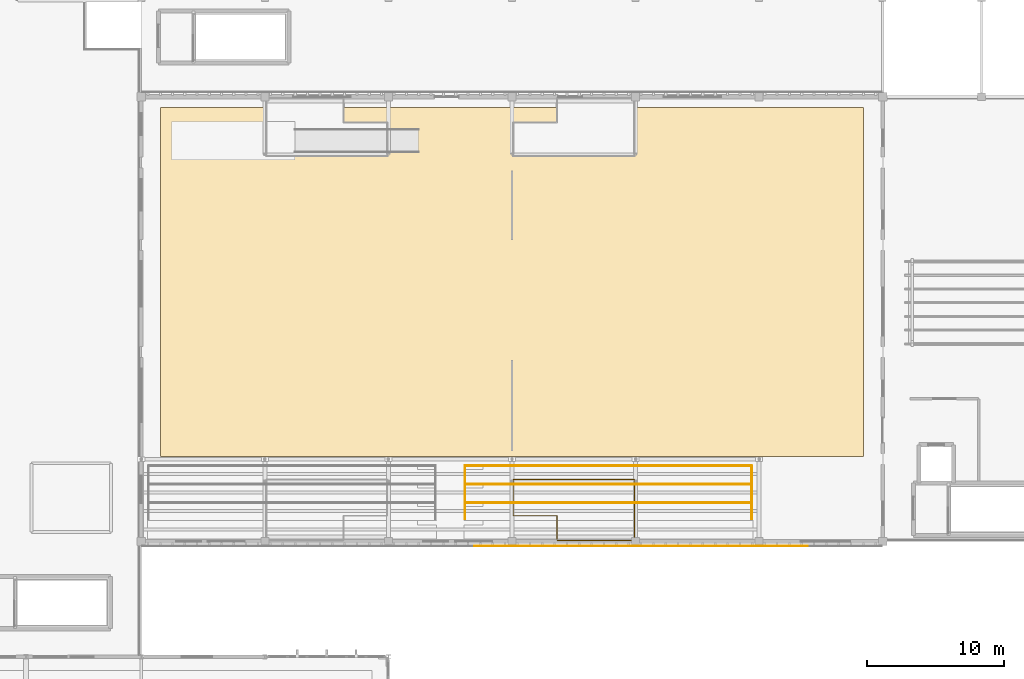
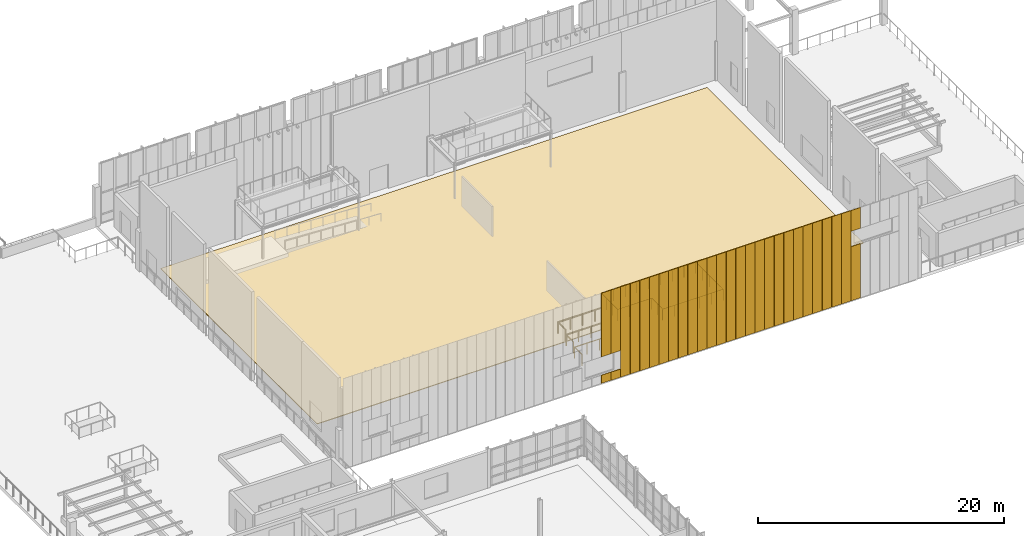
# One storey, part 63 of 67: 31 coverings, 4 railings.
"""IFC4 building model written with IfcOpenShell, lengths in metres."""

from ifc_helpers import new_model, si_unit, direction, frame, origin, origin_2d, place, context, subcontext, project, spatial, polyline, rectangle, circle, outline, extrude, material, layer, layer_set, type_object, element, save


model = new_model("IFC4")

# Units and contexts
model_context = context("Model", 3, precision=1e-05, world=origin(), true_north=direction((0.0, 1.0)))
body_context = subcontext(model_context, "Body", "Model", "MODEL_VIEW")
ifc_project = project(units=[si_unit("LENGTHUNIT", "METRE"), si_unit("AREAUNIT", "SQUARE_METRE"), si_unit("VOLUMEUNIT", "CUBIC_METRE"), si_unit("PLANEANGLEUNIT", "RADIAN"), si_unit("MASSUNIT", "GRAM", prefix="KILO")], contexts=[model_context])

# Site, building, storey
site_placement = place(None, origin())
site = spatial("IfcSite", under=ifc_project, at=site_placement, CompositionType="ELEMENT")
building_placement = place(site_placement, origin())
building = spatial("IfcBuilding", under=site, at=building_placement, Name="Tizgana Railside Sports Hall", CompositionType="ELEMENT")
storey_placement = place(building_placement, frame((0.0, 0.0, 12.0)))
storey = spatial("IfcBuildingStorey", under=building, at=storey_placement, Name="L02", CompositionType="ELEMENT", Elevation=12.0)

# Coverings
ifc_material_1 = material(Name="Anodised perforated aluminium screen", Category="aluminium")
ifc_layer_1 = layer(ifc_material_1, 0.044921875, Name="Anodised perforated aluminium screen")
ifc_layer_set_1 = layer_set([ifc_layer_1], Name="Anodised perforated aluminium screen")
covering_type_1 = type_object("IfcCoveringType", Name="Perforated Aluminium Hall Screen 900", PredefinedType="CLADDING", material=ifc_layer_set_1)
covering_1_placement = place(storey_placement, frame((106.30029296875, 40.465087890625, 0.02001953125), z_axis=(0.0, 0.0, 1.0), x_axis=(-1.0, 0.0, 0.0)))
element("IfcCovering", 1, at=covering_1_placement, inside=storey, type_object=covering_type_1, Name="L02 Perforated Screen SCR-0289", PredefinedType="CLADDING", context=body_context, shape_type="SweptSolid", body=[
    extrude(rectangle(XDim=0.881591796875, YDim=0.044921875, at=origin_2d()), origin(), (0.0, 0.0, 1.0), 8.9599609375),
])
covering_2_placement = place(storey_placement, frame((105.40087890625, 40.465087890625, 0.030029296875), z_axis=(0.0, 0.0, 1.0), x_axis=(-1.0, 0.0, 0.0)))
element("IfcCovering", 2, at=covering_2_placement, inside=storey, type_object=covering_type_1, Name="L02 Perforated Spandrel SCR-0290", PredefinedType="CLADDING", context=body_context, shape_type="SweptSolid", body=[
    extrude(rectangle(XDim=0.881591796875, YDim=0.044921875, at=origin_2d()), origin(), (0.0, 0.0, 1.0), 0.81005859375),
])
covering_3_placement = place(storey_placement, frame((105.40087890625, 40.465087890625, 2.659912109375), z_axis=(0.0, 0.0, 1.0), x_axis=(-1.0, 0.0, 0.0)))
element("IfcCovering", 3, at=covering_3_placement, inside=storey, type_object=covering_type_1, Name="L02 Perforated Header SCR-0291", PredefinedType="CLADDING", context=body_context, shape_type="SweptSolid", body=[
    extrude(rectangle(XDim=0.881591796875, YDim=0.044921875, at=origin_2d()), origin(), (0.0, 0.0, 1.0), 6.31005859375),
])
covering_4_placement = place(storey_placement, frame((104.501220703125, 40.465087890625, 0.030029296875), z_axis=(0.0, 0.0, 1.0), x_axis=(-1.0, 0.0, 0.0)))
element("IfcCovering", 4, at=covering_4_placement, inside=storey, type_object=covering_type_1, Name="L02 Perforated Spandrel SCR-0292", PredefinedType="CLADDING", context=body_context, shape_type="SweptSolid", body=[
    extrude(rectangle(XDim=0.881591796875, YDim=0.044921875, at=origin_2d()), origin(), (0.0, 0.0, 1.0), 0.81005859375),
])
covering_5_placement = place(storey_placement, frame((104.501220703125, 40.465087890625, 2.659912109375), z_axis=(0.0, 0.0, 1.0), x_axis=(-1.0, 0.0, 0.0)))
element("IfcCovering", 5, at=covering_5_placement, inside=storey, type_object=covering_type_1, Name="L02 Perforated Header SCR-0293", PredefinedType="CLADDING", context=body_context, shape_type="SweptSolid", body=[
    extrude(rectangle(XDim=0.881591796875, YDim=0.044921875, at=origin_2d()), origin(), (0.0, 0.0, 1.0), 6.31005859375),
])
for number, where, z_axis, x_axis, name in (
    (6, (115.30029296875, 40.465087890625, 0.02001953125), (0.0, 0.0, 1.0), (-1.0, 0.0, 0.0), "L02 Perforated Screen SCR-0326"),
    (7, (114.40087890625, 40.465087890625, 0.02001953125), (0.0, 0.0, 1.0), (-1.0, 0.0, 0.0), "L02 Perforated Screen SCR-0327"),
    (8, (113.501220703125, 40.465087890625, 0.02001953125), (0.0, 0.0, 1.0), (-1.0, 0.0, 0.0), "L02 Perforated Screen SCR-0328"),
    (9, (112.601806640625, 40.465087890625, 0.02001953125), (0.0, 0.0, 1.0), (-1.0, 0.0, 0.0), "L02 Perforated Screen SCR-0329"),
    (10, (111.7021484375, 40.465087890625, 0.02001953125), (0.0, 0.0, 1.0), (-1.0, 0.0, 0.0), "L02 Perforated Screen SCR-0330"),
    (11, (110.802734375, 40.465087890625, 0.02001953125), (0.0, 0.0, 1.0), (-1.0, 0.0, 0.0), "L02 Perforated Screen SCR-0331"),
    (12, (109.9033203125, 40.465087890625, 0.02001953125), (0.0, 0.0, 1.0), (-1.0, 0.0, 0.0), "L02 Perforated Screen SCR-0332"),
    (13, (109.003662109375, 40.465087890625, 0.02001953125), (0.0, 0.0, 1.0), (-1.0, 0.0, 0.0), "L02 Perforated Screen SCR-0333"),
    (14, (108.104248046875, 40.465087890625, 0.02001953125), (0.0, 0.0, 1.0), (-1.0, 0.0, 0.0), "L02 Perforated Screen SCR-0334"),
    (15, (107.20458984375, 40.465087890625, 0.02001953125), (0.0, 0.0, 1.0), (-1.0, 0.0, 0.0), "L02 Perforated Screen SCR-0335"),
    (16, (124.30029296875, 40.465087890625, 0.02001953125), (0.0, 0.0, 1.0), (-1.0, 0.0, 0.0), "L02 Perforated Screen SCR-0361"),
    (17, (123.40087890625, 40.465087890625, 0.02001953125), (0.0, 0.0, 1.0), (-1.0, 0.0, 0.0), "L02 Perforated Screen SCR-0362"),
    (18, (122.501220703125, 40.465087890625, 0.02001953125), (0.0, 0.0, 1.0), (-1.0, 0.0, 0.0), "L02 Perforated Screen SCR-0363"),
    (19, (121.601806640625, 40.465087890625, 0.02001953125), (0.0, 0.0, 1.0), (-1.0, 0.0, 0.0), "L02 Perforated Screen SCR-0364"),
    (20, (120.7021484375, 40.465087890625, 0.02001953125), (0.0, 0.0, 1.0), (-1.0, 0.0, 0.0), "L02 Perforated Screen SCR-0365"),
    (21, (119.802734375, 40.465087890625, 0.02001953125), (0.0, 0.0, 1.0), (-1.0, 0.0, 0.0), "L02 Perforated Screen SCR-0366"),
    (22, (118.9033203125, 40.465087890625, 0.02001953125), (0.0, 0.0, 1.0), (-1.0, 0.0, 0.0), "L02 Perforated Screen SCR-0367"),
    (23, (118.003662109375, 40.465087890625, 0.02001953125), (0.0, 0.0, 1.0), (-1.0, 0.0, 0.0), "L02 Perforated Screen SCR-0368"),
    (24, (117.104248046875, 40.465087890625, 0.02001953125), (0.0, 0.0, 1.0), (-1.0, 0.0, 0.0), "L02 Perforated Screen SCR-0369"),
    (25, (116.20458984375, 40.465087890625, 0.02001953125), (0.0, 0.0, 1.0), (-1.0, 0.0, 0.0), "L02 Perforated Screen SCR-0370"),
):
    element("IfcCovering", number, at=place(storey_placement, frame(where, z_axis=z_axis, x_axis=x_axis)), inside=storey, type_object=covering_type_1, Name=name, PredefinedType="CLADDING", context=body_context, shape_type="SweptSolid", body=[
        extrude(rectangle(XDim=0.881591796875, YDim=0.044921875, at=origin_2d()), origin(), (0.0, 0.0, 1.0), 8.9599609375),
    ])
covering_6_placement = place(storey_placement, frame((127.9033203125, 40.465087890625, 0.02978515625), z_axis=(0.0, 0.0, 1.0), x_axis=(-1.0, 0.0, 0.0)))
element("IfcCovering", 26, at=covering_6_placement, inside=storey, type_object=covering_type_1, Name="L02 Perforated Spandrel SCR-0406", PredefinedType="CLADDING", context=body_context, shape_type="SweptSolid", body=[
    extrude(rectangle(XDim=0.881591796875, YDim=0.044921875, at=origin_2d()), origin(), (0.0, 0.0, 1.0), 5.360107421875),
])
covering_7_placement = place(storey_placement, frame((127.9033203125, 40.465087890625, 6.909912109375), z_axis=(0.0, 0.0, 1.0), x_axis=(-1.0, 0.0, 0.0)))
element("IfcCovering", 27, at=covering_7_placement, inside=storey, type_object=covering_type_1, Name="L02 Perforated Header SCR-0407", PredefinedType="CLADDING", context=body_context, shape_type="SweptSolid", body=[
    extrude(rectangle(XDim=0.881591796875, YDim=0.044921875, at=origin_2d()), origin(), (0.0, 0.0, 1.0), 2.06005859375),
])
for number, where, z_axis, x_axis, name in (
    (28, (127.003662109375, 40.465087890625, 0.02001953125), (0.0, 0.0, 1.0), (-1.0, 0.0, 0.0), "L02 Perforated Screen SCR-0408"),
    (29, (126.104248046875, 40.465087890625, 0.02001953125), (0.0, 0.0, 1.0), (-1.0, 0.0, 0.0), "L02 Perforated Screen SCR-0409"),
    (30, (125.20458984375, 40.465087890625, 0.02001953125), (0.0, 0.0, 1.0), (-1.0, 0.0, 0.0), "L02 Perforated Screen SCR-0410"),
):
    element("IfcCovering", number, at=place(storey_placement, frame(where, z_axis=z_axis, x_axis=x_axis)), inside=storey, type_object=covering_type_1, Name=name, PredefinedType="CLADDING", context=body_context, shape_type="SweptSolid", body=[
        extrude(rectangle(XDim=0.881591796875, YDim=0.044921875, at=origin_2d()), origin(), (0.0, 0.0, 1.0), 8.9599609375),
    ])

# Railings
ifc_material_2 = material(Name="Galvanised steel sheet", Category="steel")
railing_type_1 = type_object("IfcRailingType", Name="Safety Balustrade Guard 1100", PredefinedType="BALUSTRADE", material=ifc_material_2)
railing_1_placement = place(storey_placement, frame((103.3798828125, 42.429931640625, 0.840087890625)))
element("IfcRailing", 31, at=railing_1_placement, inside=storey, type_object=railing_type_1, Name="L02 Stand Guard SGD-0014", PredefinedType="BALUSTRADE", context=body_context, shape_type="SweptSolid", body=[
    extrude(circle(Radius=0.02392578125, at=origin_2d()), frame((0.0, 0.0, 1.09619140625), z_axis=(0.0, 1.0, 0.0), x_axis=(-1.0, 0.0, 0.0)), (0.0, 0.0, 1.0), 1.190185546875),
    extrude(circle(Radius=0.02392578125, at=origin_2d()), frame((0.0, 1.190185546875, 1.09619140625), z_axis=(1.0, 0.0, 0.0), x_axis=(0.0, 1.0, 0.0)), (0.0, 0.0, 1.0), 20.89013671875),
    extrude(circle(Radius=0.02392578125, at=origin_2d()), frame((20.89013671875, 1.190185546875, 1.09619140625), z_axis=(0.0, -1.0, 0.0), x_axis=(1.0, 0.0, 0.0)), (0.0, 0.0, 1.0), 1.190185546875),
    extrude(circle(Radius=0.02099609375, at=origin_2d()), origin(), (0.0, 0.0, 1.0), 1.072021484375),
    extrude(circle(Radius=0.02099609375, at=origin_2d()), frame((0.0, 1.190185546875, 0.0)), (0.0, 0.0, 1.0), 1.072021484375),
    extrude(circle(Radius=0.02099609375, at=origin_2d()), frame((1.16064453125, 1.190185546875, 0.0)), (0.0, 0.0, 1.0), 1.072021484375),
    extrude(circle(Radius=0.02099609375, at=origin_2d()), frame((2.321044921875, 1.190185546875, 0.0)), (0.0, 0.0, 1.0), 1.072021484375),
    extrude(circle(Radius=0.02099609375, at=origin_2d()), frame((3.481689453125, 1.190185546875, 0.0)), (0.0, 0.0, 1.0), 1.072021484375),
    extrude(circle(Radius=0.02099609375, at=origin_2d()), frame((4.642333984375, 1.190185546875, 0.0)), (0.0, 0.0, 1.0), 1.072021484375),
    extrude(circle(Radius=0.02099609375, at=origin_2d()), frame((5.802734375, 1.190185546875, 0.0)), (0.0, 0.0, 1.0), 1.072021484375),
    extrude(circle(Radius=0.02099609375, at=origin_2d()), frame((6.96337890625, 1.190185546875, 0.0)), (0.0, 0.0, 1.0), 1.072021484375),
    extrude(circle(Radius=0.02099609375, at=origin_2d()), frame((8.1240234375, 1.190185546875, 0.0)), (0.0, 0.0, 1.0), 1.072021484375),
    extrude(circle(Radius=0.02099609375, at=origin_2d()), frame((9.284423828125, 1.190185546875, 0.0)), (0.0, 0.0, 1.0), 1.072021484375),
    extrude(circle(Radius=0.02099609375, at=origin_2d()), frame((10.445068359375, 1.190185546875, 0.0)), (0.0, 0.0, 1.0), 1.072021484375),
    extrude(circle(Radius=0.02099609375, at=origin_2d()), frame((11.605712890625, 1.190185546875, 0.0)), (0.0, 0.0, 1.0), 1.072021484375),
    extrude(circle(Radius=0.02099609375, at=origin_2d()), frame((12.76611328125, 1.190185546875, 0.0)), (0.0, 0.0, 1.0), 1.072021484375),
    extrude(circle(Radius=0.02099609375, at=origin_2d()), frame((13.9267578125, 1.190185546875, 0.0)), (0.0, 0.0, 1.0), 1.072021484375),
    extrude(circle(Radius=0.02099609375, at=origin_2d()), frame((15.08740234375, 1.190185546875, 0.0)), (0.0, 0.0, 1.0), 1.072021484375),
    extrude(circle(Radius=0.02099609375, at=origin_2d()), frame((16.247802734375, 1.190185546875, 0.0)), (0.0, 0.0, 1.0), 1.072021484375),
    extrude(circle(Radius=0.02099609375, at=origin_2d()), frame((17.408447265625, 1.190185546875, 0.0)), (0.0, 0.0, 1.0), 1.072021484375),
    extrude(circle(Radius=0.02099609375, at=origin_2d()), frame((18.569091796875, 1.190185546875, 0.0)), (0.0, 0.0, 1.0), 1.072021484375),
    extrude(circle(Radius=0.02099609375, at=origin_2d()), frame((19.7294921875, 1.190185546875, 0.0)), (0.0, 0.0, 1.0), 1.072021484375),
    extrude(circle(Radius=0.02099609375, at=origin_2d()), frame((20.89013671875, 1.190185546875, 0.0)), (0.0, 0.0, 1.0), 1.072021484375),
    extrude(circle(Radius=0.02099609375, at=origin_2d()), frame((20.89013671875, 0.0, 0.0)), (0.0, 0.0, 1.0), 1.072021484375),
])
railing_2_placement = place(storey_placement, frame((103.3798828125, 43.780029296875, 1.260009765625)))
element("IfcRailing", 32, at=railing_2_placement, inside=storey, type_object=railing_type_1, Name="L02 Stand Guard SGD-0016", PredefinedType="BALUSTRADE", context=body_context, shape_type="SweptSolid", body=[
    extrude(circle(Radius=0.02392578125, at=origin_2d()), frame((0.0, 0.0, 1.09619140625), z_axis=(0.0, 1.0, 0.0), x_axis=(-1.0, 0.0, 0.0)), (0.0, 0.0, 1.0), 1.18994140625),
    extrude(circle(Radius=0.02392578125, at=origin_2d()), frame((0.0, 1.18994140625, 1.09619140625), z_axis=(1.0, 0.0, 0.0), x_axis=(0.0, 1.0, 0.0)), (0.0, 0.0, 1.0), 20.89013671875),
    extrude(circle(Radius=0.02392578125, at=origin_2d()), frame((20.89013671875, 1.18994140625, 1.09619140625), z_axis=(0.0, -1.0, 0.0), x_axis=(1.0, 0.0, 0.0)), (0.0, 0.0, 1.0), 1.18994140625),
    extrude(circle(Radius=0.02099609375, at=origin_2d()), origin(), (0.0, 0.0, 1.0), 1.072021484375),
    extrude(circle(Radius=0.02099609375, at=origin_2d()), frame((0.0, 1.18994140625, 0.0)), (0.0, 0.0, 1.0), 1.072021484375),
    extrude(circle(Radius=0.02099609375, at=origin_2d()), frame((1.16064453125, 1.18994140625, 0.0)), (0.0, 0.0, 1.0), 1.072021484375),
    extrude(circle(Radius=0.02099609375, at=origin_2d()), frame((2.321044921875, 1.18994140625, 0.0)), (0.0, 0.0, 1.0), 1.072021484375),
    extrude(circle(Radius=0.02099609375, at=origin_2d()), frame((3.481689453125, 1.18994140625, 0.0)), (0.0, 0.0, 1.0), 1.072021484375),
    extrude(circle(Radius=0.02099609375, at=origin_2d()), frame((4.642333984375, 1.18994140625, 0.0)), (0.0, 0.0, 1.0), 1.072021484375),
    extrude(circle(Radius=0.02099609375, at=origin_2d()), frame((5.802734375, 1.18994140625, 0.0)), (0.0, 0.0, 1.0), 1.072021484375),
    extrude(circle(Radius=0.02099609375, at=origin_2d()), frame((6.96337890625, 1.18994140625, 0.0)), (0.0, 0.0, 1.0), 1.072021484375),
    extrude(circle(Radius=0.02099609375, at=origin_2d()), frame((8.1240234375, 1.18994140625, 0.0)), (0.0, 0.0, 1.0), 1.072021484375),
    extrude(circle(Radius=0.02099609375, at=origin_2d()), frame((9.284423828125, 1.18994140625, 0.0)), (0.0, 0.0, 1.0), 1.072021484375),
    extrude(circle(Radius=0.02099609375, at=origin_2d()), frame((10.445068359375, 1.18994140625, 0.0)), (0.0, 0.0, 1.0), 1.072021484375),
    extrude(circle(Radius=0.02099609375, at=origin_2d()), frame((11.605712890625, 1.18994140625, 0.0)), (0.0, 0.0, 1.0), 1.072021484375),
    extrude(circle(Radius=0.02099609375, at=origin_2d()), frame((12.76611328125, 1.18994140625, 0.0)), (0.0, 0.0, 1.0), 1.072021484375),
    extrude(circle(Radius=0.02099609375, at=origin_2d()), frame((13.9267578125, 1.18994140625, 0.0)), (0.0, 0.0, 1.0), 1.072021484375),
    extrude(circle(Radius=0.02099609375, at=origin_2d()), frame((15.08740234375, 1.18994140625, 0.0)), (0.0, 0.0, 1.0), 1.072021484375),
    extrude(circle(Radius=0.02099609375, at=origin_2d()), frame((16.247802734375, 1.18994140625, 0.0)), (0.0, 0.0, 1.0), 1.072021484375),
    extrude(circle(Radius=0.02099609375, at=origin_2d()), frame((17.408447265625, 1.18994140625, 0.0)), (0.0, 0.0, 1.0), 1.072021484375),
    extrude(circle(Radius=0.02099609375, at=origin_2d()), frame((18.569091796875, 1.18994140625, 0.0)), (0.0, 0.0, 1.0), 1.072021484375),
    extrude(circle(Radius=0.02099609375, at=origin_2d()), frame((19.7294921875, 1.18994140625, 0.0)), (0.0, 0.0, 1.0), 1.072021484375),
    extrude(circle(Radius=0.02099609375, at=origin_2d()), frame((20.89013671875, 1.18994140625, 0.0)), (0.0, 0.0, 1.0), 1.072021484375),
    extrude(circle(Radius=0.02099609375, at=origin_2d()), frame((20.89013671875, 0.0, 0.0)), (0.0, 0.0, 1.0), 1.072021484375),
])
railing_3_placement = place(storey_placement, frame((103.3798828125, 45.1298828125, 1.679931640625)))
element("IfcRailing", 33, at=railing_3_placement, inside=storey, type_object=railing_type_1, Name="L02 Stand Guard SGD-0018", PredefinedType="BALUSTRADE", context=body_context, shape_type="SweptSolid", body=[
    extrude(circle(Radius=0.02392578125, at=origin_2d()), frame((0.0, 0.0, 1.09619140625), z_axis=(0.0, 1.0, 0.0), x_axis=(-1.0, 0.0, 0.0)), (0.0, 0.0, 1.0), 1.190185546875),
    extrude(circle(Radius=0.02392578125, at=origin_2d()), frame((0.0, 1.190185546875, 1.09619140625), z_axis=(1.0, 0.0, 0.0), x_axis=(0.0, 1.0, 0.0)), (0.0, 0.0, 1.0), 20.89013671875),
    extrude(circle(Radius=0.02392578125, at=origin_2d()), frame((20.89013671875, 1.190185546875, 1.09619140625), z_axis=(0.0, -1.0, 0.0), x_axis=(1.0, 0.0, 0.0)), (0.0, 0.0, 1.0), 1.190185546875),
    extrude(circle(Radius=0.02099609375, at=origin_2d()), origin(), (0.0, 0.0, 1.0), 1.072021484375),
    extrude(circle(Radius=0.02099609375, at=origin_2d()), frame((0.0, 1.190185546875, 0.0)), (0.0, 0.0, 1.0), 1.072021484375),
    extrude(circle(Radius=0.02099609375, at=origin_2d()), frame((1.16064453125, 1.190185546875, 0.0)), (0.0, 0.0, 1.0), 1.072021484375),
    extrude(circle(Radius=0.02099609375, at=origin_2d()), frame((2.321044921875, 1.190185546875, 0.0)), (0.0, 0.0, 1.0), 1.072021484375),
    extrude(circle(Radius=0.02099609375, at=origin_2d()), frame((3.481689453125, 1.190185546875, 0.0)), (0.0, 0.0, 1.0), 1.072021484375),
    extrude(circle(Radius=0.02099609375, at=origin_2d()), frame((4.642333984375, 1.190185546875, 0.0)), (0.0, 0.0, 1.0), 1.072021484375),
    extrude(circle(Radius=0.02099609375, at=origin_2d()), frame((5.802734375, 1.190185546875, 0.0)), (0.0, 0.0, 1.0), 1.072021484375),
    extrude(circle(Radius=0.02099609375, at=origin_2d()), frame((6.96337890625, 1.190185546875, 0.0)), (0.0, 0.0, 1.0), 1.072021484375),
    extrude(circle(Radius=0.02099609375, at=origin_2d()), frame((8.1240234375, 1.190185546875, 0.0)), (0.0, 0.0, 1.0), 1.072021484375),
    extrude(circle(Radius=0.02099609375, at=origin_2d()), frame((9.284423828125, 1.190185546875, 0.0)), (0.0, 0.0, 1.0), 1.072021484375),
    extrude(circle(Radius=0.02099609375, at=origin_2d()), frame((10.445068359375, 1.190185546875, 0.0)), (0.0, 0.0, 1.0), 1.072021484375),
    extrude(circle(Radius=0.02099609375, at=origin_2d()), frame((11.605712890625, 1.190185546875, 0.0)), (0.0, 0.0, 1.0), 1.072021484375),
    extrude(circle(Radius=0.02099609375, at=origin_2d()), frame((12.76611328125, 1.190185546875, 0.0)), (0.0, 0.0, 1.0), 1.072021484375),
    extrude(circle(Radius=0.02099609375, at=origin_2d()), frame((13.9267578125, 1.190185546875, 0.0)), (0.0, 0.0, 1.0), 1.072021484375),
    extrude(circle(Radius=0.02099609375, at=origin_2d()), frame((15.08740234375, 1.190185546875, 0.0)), (0.0, 0.0, 1.0), 1.072021484375),
    extrude(circle(Radius=0.02099609375, at=origin_2d()), frame((16.247802734375, 1.190185546875, 0.0)), (0.0, 0.0, 1.0), 1.072021484375),
    extrude(circle(Radius=0.02099609375, at=origin_2d()), frame((17.408447265625, 1.190185546875, 0.0)), (0.0, 0.0, 1.0), 1.072021484375),
    extrude(circle(Radius=0.02099609375, at=origin_2d()), frame((18.569091796875, 1.190185546875, 0.0)), (0.0, 0.0, 1.0), 1.072021484375),
    extrude(circle(Radius=0.02099609375, at=origin_2d()), frame((19.7294921875, 1.190185546875, 0.0)), (0.0, 0.0, 1.0), 1.072021484375),
    extrude(circle(Radius=0.02099609375, at=origin_2d()), frame((20.89013671875, 1.190185546875, 0.0)), (0.0, 0.0, 1.0), 1.072021484375),
    extrude(circle(Radius=0.02099609375, at=origin_2d()), frame((20.89013671875, 0.0, 0.0)), (0.0, 0.0, 1.0), 1.072021484375),
])

# Covering
ifc_material_3 = material(Name="Sprung beech timber", Category="wood")
ifc_layer_2 = layer(ifc_material_3, 0.06494140625, Name="Sprung beech timber")
ifc_layer_set_2 = layer_set([ifc_layer_2], Name="Sprung beech timber")
covering_type_2 = type_object("IfcCoveringType", Name="Sprung Beech Hardwood Court Floor", PredefinedType="FLOORING", material=ifc_layer_set_2)
covering_8_placement = place(storey_placement, origin())
element("IfcCovering", 34, at=covering_8_placement, inside=storey, type_object=covering_type_2, Name="L02 Sprung Sports Floor FLR-0003", PredefinedType="FLOORING", context=body_context, shape_type="SweptSolid", body=[
    extrude(outline(polyline([(81.199951171875, 47.0), (132.39990234375, 47.0), (132.39990234375, 72.39990234375), (81.199951171875, 72.39990234375), (81.199951171875, 47.0)])), origin(), (0.0, 0.0, 1.0), 0.06494140625),
])

# Railing
ifc_material_4 = material(Name="Anodised aluminium", Category="aluminium")
railing_type_2 = type_object("IfcRailingType", Name="Terrace & Track Guard 1150", PredefinedType="BALUSTRADE", material=ifc_material_4)
railing_4_placement = place(storey_placement, frame((110.080078125, 40.8798828125, 3.89990234375)))
element("IfcRailing", 35, at=railing_4_placement, inside=storey, type_object=railing_type_2, Name="L02 V2 Court3 Catwalk SE Guard", PredefinedType="BALUSTRADE", context=body_context, shape_type="SweptSolid", body=[
    extrude(circle(Radius=0.02392578125, at=origin_2d()), frame((0.0, 0.0, 1.1259765625), z_axis=(1.0, 0.0, 0.0), x_axis=(0.0, 1.0, 0.0)), (0.0, 0.0, 1.0), 5.639892578125),
    extrude(circle(Radius=0.02392578125, at=origin_2d()), frame((5.639892578125, 0.0, 1.1259765625), z_axis=(0.0, 1.0, 0.0), x_axis=(-1.0, 0.0, 0.0)), (0.0, 0.0, 1.0), 4.440185546875),
    extrude(circle(Radius=0.02392578125, at=origin_2d()), frame((5.639892578125, 4.440185546875, 1.1259765625), z_axis=(-1.0, 0.0, 0.0), x_axis=(0.0, -1.0, 0.0)), (0.0, 0.0, 1.0), 8.840087890625),
    extrude(circle(Radius=0.02392578125, at=origin_2d()), frame((-3.2001953125, 4.440185546875, 1.1259765625), z_axis=(0.0, -1.0, 0.0), x_axis=(1.0, 0.0, 0.0)), (0.0, 0.0, 1.0), 2.64013671875),
    extrude(circle(Radius=0.02392578125, at=origin_2d()), frame((-3.2001953125, 1.800048828125, 1.1259765625), z_axis=(1.0, 0.0, 0.0), x_axis=(0.0, 1.0, 0.0)), (0.0, 0.0, 1.0), 3.2001953125),
    extrude(circle(Radius=0.02392578125, at=origin_2d()), frame((0.0, 1.800048828125, 1.1259765625), z_axis=(0.0, -1.0, 0.0), x_axis=(1.0, 0.0, 0.0)), (0.0, 0.0, 1.0), 1.719970703125),
    extrude(circle(Radius=0.02099609375, at=origin_2d()), origin(), (0.0, 0.0, 1.0), 1.101806640625),
    extrude(circle(Radius=0.02099609375, at=origin_2d()), frame((1.1279296875, 0.0, 0.0)), (0.0, 0.0, 1.0), 1.101806640625),
    extrude(circle(Radius=0.02099609375, at=origin_2d()), frame((2.255859375, 0.0, 0.0)), (0.0, 0.0, 1.0), 1.101806640625),
    extrude(circle(Radius=0.02099609375, at=origin_2d()), frame((3.384033203125, 0.0, 0.0)), (0.0, 0.0, 1.0), 1.101806640625),
    extrude(circle(Radius=0.02099609375, at=origin_2d()), frame((4.511962890625, 0.0, 0.0)), (0.0, 0.0, 1.0), 1.101806640625),
    extrude(circle(Radius=0.02099609375, at=origin_2d()), frame((5.639892578125, 0.0, 0.0)), (0.0, 0.0, 1.0), 1.101806640625),
    extrude(circle(Radius=0.02099609375, at=origin_2d()), frame((5.639892578125, 1.110107421875, 0.0)), (0.0, 0.0, 1.0), 1.101806640625),
    extrude(circle(Radius=0.02099609375, at=origin_2d()), frame((5.639892578125, 2.22021484375, 0.0)), (0.0, 0.0, 1.0), 1.101806640625),
    extrude(circle(Radius=0.02099609375, at=origin_2d()), frame((5.639892578125, 3.330078125, 0.0)), (0.0, 0.0, 1.0), 1.101806640625),
    extrude(circle(Radius=0.02099609375, at=origin_2d()), frame((5.639892578125, 4.440185546875, 0.0)), (0.0, 0.0, 1.0), 1.101806640625),
    extrude(circle(Radius=0.02099609375, at=origin_2d()), frame((4.534912109375, 4.440185546875, 0.0)), (0.0, 0.0, 1.0), 1.101806640625),
    extrude(circle(Radius=0.02099609375, at=origin_2d()), frame((3.429931640625, 4.440185546875, 0.0)), (0.0, 0.0, 1.0), 1.101806640625),
    extrude(circle(Radius=0.02099609375, at=origin_2d()), frame((2.324951171875, 4.440185546875, 0.0)), (0.0, 0.0, 1.0), 1.101806640625),
    extrude(circle(Radius=0.02099609375, at=origin_2d()), frame((1.2197265625, 4.440185546875, 0.0)), (0.0, 0.0, 1.0), 1.101806640625),
    extrude(circle(Radius=0.02099609375, at=origin_2d()), frame((0.11474609375, 4.440185546875, 0.0)), (0.0, 0.0, 1.0), 1.101806640625),
    extrude(circle(Radius=0.02099609375, at=origin_2d()), frame((-0.990234375, 4.440185546875, 0.0)), (0.0, 0.0, 1.0), 1.101806640625),
    extrude(circle(Radius=0.02099609375, at=origin_2d()), frame((-2.09521484375, 4.440185546875, 0.0)), (0.0, 0.0, 1.0), 1.101806640625),
    extrude(circle(Radius=0.02099609375, at=origin_2d()), frame((-3.2001953125, 4.440185546875, 0.0)), (0.0, 0.0, 1.0), 1.101806640625),
    extrude(circle(Radius=0.02099609375, at=origin_2d()), frame((-3.2001953125, 3.56005859375, 0.0)), (0.0, 0.0, 1.0), 1.101806640625),
    extrude(circle(Radius=0.02099609375, at=origin_2d()), frame((-3.2001953125, 2.68017578125, 0.0)), (0.0, 0.0, 1.0), 1.101806640625),
    extrude(circle(Radius=0.02099609375, at=origin_2d()), frame((-3.2001953125, 1.800048828125, 0.0)), (0.0, 0.0, 1.0), 1.101806640625),
    extrude(circle(Radius=0.02099609375, at=origin_2d()), frame((-2.133544921875, 1.800048828125, 0.0)), (0.0, 0.0, 1.0), 1.101806640625),
    extrude(circle(Radius=0.02099609375, at=origin_2d()), frame((-1.066650390625, 1.800048828125, 0.0)), (0.0, 0.0, 1.0), 1.101806640625),
    extrude(circle(Radius=0.02099609375, at=origin_2d()), frame((0.0, 1.800048828125, 0.0)), (0.0, 0.0, 1.0), 1.101806640625),
    extrude(circle(Radius=0.02099609375, at=origin_2d()), frame((0.0, 0.93994140625, 0.0)), (0.0, 0.0, 1.0), 1.101806640625),
    extrude(circle(Radius=0.02099609375, at=origin_2d()), frame((0.0, 0.080078125, 0.0)), (0.0, 0.0, 1.0), 1.101806640625),
])

save(model, "model.ifc")
